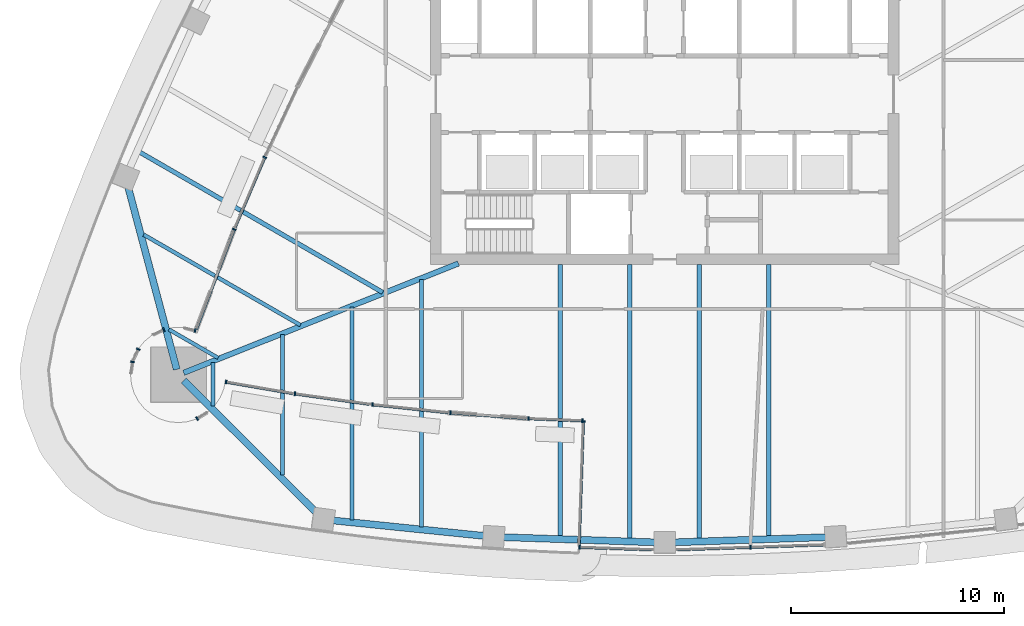
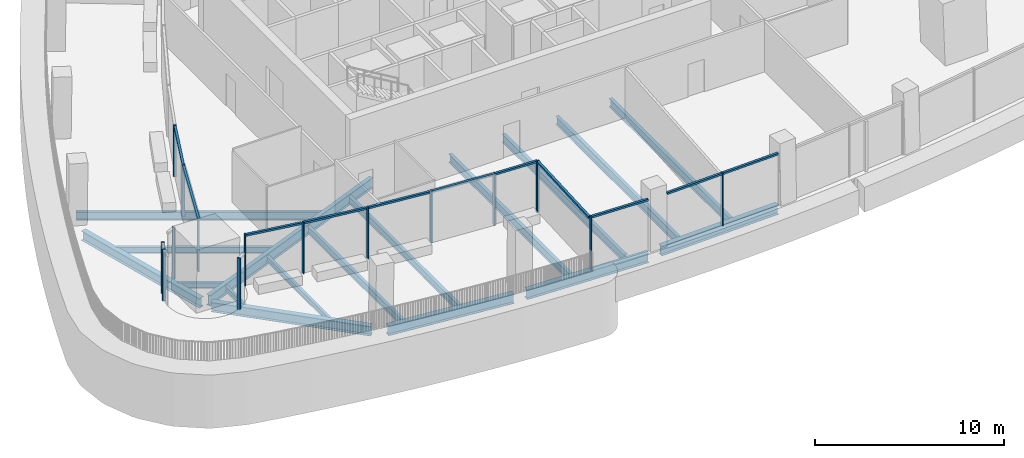
# One storey, part 2 of 18: 27 members, 17 beams, 15 elements without a shape of their own.
"""IFC4 building model written with IfcOpenShell, lengths in metres."""

from ifc_helpers import new_model, si_unit, direction, frame, origin, origin_2d, place, context, subcontext, project, spatial, rectangle, i_section, extrude, material, layer, layer_set, material_profile, profile_set, type_object, element, aggregate, save


model = new_model("IFC4")

# Units and contexts
model_context = context("Model", 3, precision=1e-05, world=origin(), true_north=direction((0.0, 1.0)))
body_context = subcontext(model_context, "Body", "Model", "MODEL_VIEW")
ifc_project = project(units=[si_unit("LENGTHUNIT", "METRE"), si_unit("AREAUNIT", "SQUARE_METRE"), si_unit("VOLUMEUNIT", "CUBIC_METRE"), si_unit("PLANEANGLEUNIT", "RADIAN"), si_unit("MASSUNIT", "GRAM", prefix="KILO")], contexts=[model_context])

# Site, building, storey
site_placement = place(None, origin())
site = spatial("IfcSite", under=ifc_project, at=site_placement, CompositionType="ELEMENT")
building_placement = place(site_placement, origin())
building = spatial("IfcBuilding", under=site, at=building_placement, Name="Sierra Prisma Convention Tower", CompositionType="ELEMENT")
storey_placement = place(building_placement, frame((0.0, 0.0, 205.800048828125)))
storey = spatial("IfcBuildingStorey", under=building, at=storey_placement, Name="L46", CompositionType="ELEMENT", Elevation=205.800048828125)

# Curtain wall, member
ifc_material_1 = material(Name="Aluminium and glass curtain wall", Category="aluminium")
ifc_layer_1 = layer(ifc_material_1, 0.179931640625)
ifc_layer_set_1 = layer_set([ifc_layer_1], Name="CW-1 Plain shaft curtain wall")
curtain_wall_type_1 = type_object("IfcCurtainWallType", Name="CW-1 Plain shaft curtain wall", PredefinedType="NOTDEFINED", material=ifc_layer_set_1)
curtain_wall_1_placement = place(storey_placement, origin())
curtain_wall_1 = element("IfcCurtainWall", 1, at=curtain_wall_1_placement, inside=storey, type_object=curtain_wall_type_1, Name="CW-1 S3b L46", PredefinedType="NOTDEFINED")
ifc_material_2 = material(Name="Aluminium 6063-T6 bronze anodised", Category="aluminium")
ifc_material_profile_1 = material_profile(ifc_material_2, rectangle(XDim=0.179931640625, YDim=0.070068359375, at=origin_2d()), Name="ALU MULLION 70x180")
ifc_profile_set_1 = profile_set([ifc_material_profile_1], Name="Aluminium 6063-T6 bronze anodised")
member_type_1 = type_object("IfcMemberType", Name="CW mullion bronze", PredefinedType="MULLION", material=ifc_profile_set_1)
member_1_placement = place(storey_placement, frame((-3.99072265625, -21.285888671875, 0.0), z_axis=(0.0, 0.0, 1.0), x_axis=(0.033942935708, 0.999423772539, 0.0)))
member_1 = element("IfcMember", 2, at=member_1_placement, type_object=member_type_1, Name="CW-1 mullion S3b.1", PredefinedType="MULLION", context=body_context, shape_type="SweptSolid", body=[
    extrude(rectangle(XDim=0.179931640625, YDim=0.070068359375, at=origin_2d()), origin(), (0.0, 0.0, 1.0), 3.39990234375),
])

curtain_wall_2_placement = place(storey_placement, origin())
curtain_wall_2 = element("IfcCurtainWall", 3, at=curtain_wall_2_placement, inside=storey, type_object=curtain_wall_type_1, Name="CW-1 S4 L46", PredefinedType="NOTDEFINED")
member_2_placement = place(storey_placement, frame((4.025634765625, -21.28466796875, 0.0), z_axis=(0.0, 0.0, 1.0), x_axis=(-0.033942935708, 0.999423772539, 0.0)))
member_2 = element("IfcMember", 4, at=member_2_placement, type_object=member_type_1, Name="CW-1 mullion S4.2", PredefinedType="MULLION", context=body_context, shape_type="SweptSolid", body=[
    extrude(rectangle(XDim=0.179931640625, YDim=0.070068359375, at=origin_2d()), origin(), (0.0, 0.0, 1.0), 3.39990234375),
])

ifc_material_3 = material(Name="Aluminium and glass curtain wall", Category="aluminium")
ifc_layer_2 = layer(ifc_material_3, 0.179931640625)
ifc_layer_set_2 = layer_set([ifc_layer_2], Name="CW-6 Terrace recess curtain wall")
curtain_wall_type_2 = type_object("IfcCurtainWallType", Name="CW-6 Terrace recess curtain wall", PredefinedType="NOTDEFINED", material=ifc_layer_set_2)
curtain_wall_3_placement = place(storey_placement, origin())
curtain_wall_3 = element("IfcCurtainWall", 5, at=curtain_wall_3_placement, inside=storey, type_object=curtain_wall_type_2, Name="CW-6 R5 L46", PredefinedType="NOTDEFINED")
member_3_placement = place(storey_placement, frame((-18.786865234375, -2.970703125, 0.0), z_axis=(0.0, 0.0, 1.0), x_axis=(0.920522434221, -0.390689708204, 0.0)))
member_3 = element("IfcMember", 6, at=member_3_placement, type_object=member_type_1, Name="CW-6 mullion R5.1", PredefinedType="MULLION", context=body_context, shape_type="SweptSolid", body=[
    extrude(rectangle(XDim=0.179931640625, YDim=0.070068359375, at=origin_2d()), origin(), (0.0, 0.0, 1.0), 3.33984375),
])

curtain_wall_4_placement = place(storey_placement, origin())
curtain_wall_4 = element("IfcCurtainWall", 7, at=curtain_wall_4_placement, inside=storey, type_object=curtain_wall_type_2, Name="CW-6 R6 L46", PredefinedType="NOTDEFINED")
member_4_placement = place(storey_placement, frame((-20.222412109375, -6.35693359375, 0.0), z_axis=(0.0, 0.0, 1.0), x_axis=(0.935227172382, -0.354048211462, 0.0)))
member_4 = element("IfcMember", 8, at=member_4_placement, type_object=member_type_1, Name="CW-6 mullion R6.1", PredefinedType="MULLION", context=body_context, shape_type="SweptSolid", body=[
    extrude(rectangle(XDim=0.179931640625, YDim=0.070068359375, at=origin_2d()), origin(), (0.0, 0.0, 1.0), 3.33984375),
])

curtain_wall_5_placement = place(storey_placement, origin())
curtain_wall_5 = element("IfcCurtainWall", 9, at=curtain_wall_5_placement, inside=storey, type_object=curtain_wall_type_2, Name="CW-6 R7 L46", PredefinedType="NOTDEFINED")
member_5_placement = place(storey_placement, frame((-22.0576171875, -11.106201171875, 0.0), z_axis=(0.0, 0.0, 1.0), x_axis=(-0.238294144582, -0.971193029556, 0.0)))
member_5 = element("IfcMember", 10, at=member_5_placement, type_object=member_type_1, Name="CW-6 mullion R7.1", PredefinedType="MULLION", context=body_context, shape_type="SweptSolid", body=[
    extrude(rectangle(XDim=0.179931640625, YDim=0.070068359375, at=origin_2d()), origin(), (0.0, 0.0, 1.0), 3.33984375),
])
aggregate(curtain_wall_5, [member_5])

curtain_wall_6_placement = place(storey_placement, origin())
curtain_wall_6 = element("IfcCurtainWall", 11, at=curtain_wall_6_placement, inside=storey, type_object=curtain_wall_type_2, Name="CW-6 R10 L46", PredefinedType="NOTDEFINED")
member_6_placement = place(storey_placement, frame((-23.53271484375, -11.06591796875, 0.0), z_axis=(0.0, 0.0, 1.0), x_axis=(0.42755509343, -0.903989293123, 0.0)))
member_6 = element("IfcMember", 12, at=member_6_placement, type_object=member_type_1, Name="CW-6 mullion R10.1", PredefinedType="MULLION", context=body_context, shape_type="SweptSolid", body=[
    extrude(rectangle(XDim=0.179931640625, YDim=0.070068359375, at=origin_2d()), origin(), (0.0, 0.0, 1.0), 3.33984375),
])
aggregate(curtain_wall_6, [member_6])

curtain_wall_7_placement = place(storey_placement, origin())
curtain_wall_7 = element("IfcCurtainWall", 13, at=curtain_wall_7_placement, inside=storey, type_object=curtain_wall_type_2, Name="CW-6 R13 L46", PredefinedType="NOTDEFINED")
member_7_placement = place(storey_placement, frame((-24.727294921875, -11.981201171875, 0.0), z_axis=(0.0, 0.0, 1.0), x_axis=(0.903989293123, -0.42755509343, 0.0)))
member_7 = element("IfcMember", 14, at=member_7_placement, type_object=member_type_1, Name="CW-6 mullion R13.1", PredefinedType="MULLION", context=body_context, shape_type="SweptSolid", body=[
    extrude(rectangle(XDim=0.179931640625, YDim=0.070068359375, at=origin_2d()), origin(), (0.0, 0.0, 1.0), 3.33984375),
])
aggregate(curtain_wall_7, [member_7])

curtain_wall_8_placement = place(storey_placement, origin())
curtain_wall_8 = element("IfcCurtainWall", 15, at=curtain_wall_8_placement, inside=storey, type_object=curtain_wall_type_2, Name="CW-6 R14 L46", PredefinedType="NOTDEFINED")
member_8_placement = place(storey_placement, frame((-24.998291015625, -12.577880859375, 0.0), z_axis=(0.0, 0.0, 1.0), x_axis=(0.989176509965, -0.146730474455, 0.0)))
member_8 = element("IfcMember", 16, at=member_8_placement, type_object=member_type_1, Name="CW-6 mullion R14.1", PredefinedType="MULLION", context=body_context, shape_type="SweptSolid", body=[
    extrude(rectangle(XDim=0.179931640625, YDim=0.070068359375, at=origin_2d()), origin(), (0.0, 0.0, 1.0), 3.33984375),
])
aggregate(curtain_wall_8, [member_8])

curtain_wall_9_placement = place(storey_placement, origin())
curtain_wall_9 = element("IfcCurtainWall", 17, at=curtain_wall_9_placement, inside=storey, type_object=curtain_wall_type_2, Name="CW-6 R25 L46", PredefinedType="NOTDEFINED")
member_9_placement = place(storey_placement, frame((-21.964599609375, -15.2431640625, 0.0), z_axis=(0.0, 0.0, 1.0), x_axis=(-0.514102744193, 0.85772861, 0.0)))
member_9 = element("IfcMember", 18, at=member_9_placement, type_object=member_type_1, Name="CW-6 mullion R25.1", PredefinedType="MULLION", context=body_context, shape_type="SweptSolid", body=[
    extrude(rectangle(XDim=0.179931640625, YDim=0.070068359375, at=origin_2d()), origin(), (0.0, 0.0, 1.0), 3.33984375),
])
aggregate(curtain_wall_9, [member_9])

curtain_wall_10_placement = place(storey_placement, origin())
curtain_wall_10 = element("IfcCurtainWall", 19, at=curtain_wall_10_placement, inside=storey, type_object=curtain_wall_type_2, Name="CW-6 R30 L46", PredefinedType="NOTDEFINED")
member_10_placement = place(storey_placement, frame((-20.604248046875, -13.521240234375, 0.0), z_axis=(0.0, 0.0, 1.0), x_axis=(0.169310839657, 0.985562702001, 0.0)))
member_10 = element("IfcMember", 20, at=member_10_placement, type_object=member_type_1, Name="CW-6 mullion R30.1", PredefinedType="MULLION", context=body_context, shape_type="SweptSolid", body=[
    extrude(rectangle(XDim=0.179931640625, YDim=0.070068359375, at=origin_2d()), origin(), (0.0, 0.0, 1.0), 3.33984375),
])

curtain_wall_11_placement = place(storey_placement, origin())
curtain_wall_11 = element("IfcCurtainWall", 21, at=curtain_wall_11_placement, inside=storey, type_object=curtain_wall_type_2, Name="CW-6 R31 L46", PredefinedType="NOTDEFINED")
member_11_placement = place(storey_placement, frame((-17.36669921875, -14.076416015625, 0.0), z_axis=(0.0, 0.0, 1.0), x_axis=(0.138071286049, 0.990422293756, 0.0)))
member_11 = element("IfcMember", 22, at=member_11_placement, type_object=member_type_1, Name="CW-6 mullion R31.1", PredefinedType="MULLION", context=body_context, shape_type="SweptSolid", body=[
    extrude(rectangle(XDim=0.179931640625, YDim=0.070068359375, at=origin_2d()), origin(), (0.0, 0.0, 1.0), 3.33984375),
])

curtain_wall_12_placement = place(storey_placement, origin())
curtain_wall_12 = element("IfcCurtainWall", 23, at=curtain_wall_12_placement, inside=storey, type_object=curtain_wall_type_2, Name="CW-6 R32 L46", PredefinedType="NOTDEFINED")
member_12_placement = place(storey_placement, frame((-13.7236328125, -14.5830078125, 0.0), z_axis=(0.0, 0.0, 1.0), x_axis=(0.105724349866, 0.994395475576, 0.0)))
member_12 = element("IfcMember", 24, at=member_12_placement, type_object=member_type_1, Name="CW-6 mullion R32.1", PredefinedType="MULLION", context=body_context, shape_type="SweptSolid", body=[
    extrude(rectangle(XDim=0.179931640625, YDim=0.070068359375, at=origin_2d()), origin(), (0.0, 0.0, 1.0), 3.33984375),
])

curtain_wall_13_placement = place(storey_placement, origin())
curtain_wall_13 = element("IfcCurtainWall", 25, at=curtain_wall_13_placement, inside=storey, type_object=curtain_wall_type_2, Name="CW-6 R33 L46", PredefinedType="NOTDEFINED")
member_13_placement = place(storey_placement, frame((-10.06640625, -14.970703125, 0.0), z_axis=(0.0, 0.0, 1.0), x_axis=(0.073265122746, 0.997312499565, 0.0)))
member_13 = element("IfcMember", 26, at=member_13_placement, type_object=member_type_1, Name="CW-6 mullion R33.1", PredefinedType="MULLION", context=body_context, shape_type="SweptSolid", body=[
    extrude(rectangle(XDim=0.179931640625, YDim=0.070068359375, at=origin_2d()), origin(), (0.0, 0.0, 1.0), 3.33984375),
])

# Curtain wall, members
curtain_wall_14_placement = place(storey_placement, origin())
curtain_wall_14 = element("IfcCurtainWall", 27, at=curtain_wall_14_placement, inside=storey, type_object=curtain_wall_type_2, Name="CW-6 R34 L46", PredefinedType="NOTDEFINED")
member_14_placement = place(storey_placement, frame((-6.398193359375, -15.2392578125, 0.0), z_axis=(0.0, 0.0, 1.0), x_axis=(0.041644735302, 0.999132481717, 0.0)))
member_14 = element("IfcMember", 28, at=member_14_placement, type_object=member_type_1, Name="CW-6 mullion R34.1", PredefinedType="MULLION", context=body_context, shape_type="SweptSolid", body=[
    extrude(rectangle(XDim=0.179931640625, YDim=0.070068359375, at=origin_2d()), origin(), (0.0, 0.0, 1.0), 3.33984375),
])
member_15_placement = place(storey_placement, frame((-3.859130859375, -15.344970703125, 0.0), z_axis=(0.0, 0.0, 1.0), x_axis=(0.041644735302, 0.999132481717, 0.0)))
member_15 = element("IfcMember", 29, at=member_15_placement, type_object=member_type_1, Name="CW-6 mullion R34.2", PredefinedType="MULLION", context=body_context, shape_type="SweptSolid", body=[
    extrude(rectangle(XDim=0.179931640625, YDim=0.070068359375, at=origin_2d()), origin(), (0.0, 0.0, 1.0), 3.33984375),
])

# Curtain wall, member
curtain_wall_15_placement = place(storey_placement, origin())
curtain_wall_15 = element("IfcCurtainWall", 30, at=curtain_wall_15_placement, inside=storey, type_object=curtain_wall_type_2, Name="CW-6 RT2 L46", PredefinedType="NOTDEFINED")
member_16_placement = place(storey_placement, frame((-3.8251953125, -15.38134765625, 0.0), z_axis=(0.0, 0.0, 1.0), x_axis=(0.999423772539, -0.033942935708, 0.0)))
member_16 = element("IfcMember", 31, at=member_16_placement, type_object=member_type_1, Name="CW-6 mullion RT2.1", PredefinedType="MULLION", context=body_context, shape_type="SweptSolid", body=[
    extrude(rectangle(XDim=0.179931640625, YDim=0.070068359375, at=origin_2d()), origin(), (0.0, 0.0, 1.0), 3.33984375),
])

# Member
ifc_material_4 = material(Name="Aluminium 6063-T6 bronze anodised", Category="aluminium")
ifc_material_profile_2 = material_profile(ifc_material_4, rectangle(XDim=0.139892578125, YDim=0.1201171875, at=origin_2d()), Name="ALU TRANSOM 120x140")
ifc_profile_set_2 = profile_set([ifc_material_profile_2], Name="Aluminium 6063-T6 bronze anodised")
member_type_2 = type_object("IfcMemberType", Name="CW transom bronze", PredefinedType="USERDEFINED", material=ifc_profile_set_2)
member_17_placement = place(storey_placement, frame((-3.955810546875, -21.287109375, 3.33984375), z_axis=(0.999423919086, -0.033938620468, 0.0), x_axis=(0.033938620468, 0.999423919086, 0.0)))
member_17 = element("IfcMember", 32, at=member_17_placement, type_object=member_type_2, Name="CW-1 transom S3b.1", ObjectType="TRANSOM", PredefinedType="USERDEFINED", context=body_context, shape_type="SweptSolid", body=[
    extrude(rectangle(XDim=0.139892578125, YDim=0.1201171875, at=origin_2d()), origin(), (0.0, 0.0, 1.0), 3.38818359375),
])

aggregate(curtain_wall_1, [member_1, member_17])

member_18_placement = place(storey_placement, frame((0.569580078125, -21.402099609375, 3.33984375), z_axis=(0.999423570725, 0.033948877447, 0.0), x_axis=(-0.033948877447, 0.999423570725, 0.0)))
member_18 = element("IfcMember", 33, at=member_18_placement, type_object=member_type_2, Name="CW-1 transom S4.1", ObjectType="TRANSOM", PredefinedType="USERDEFINED", context=body_context, shape_type="SweptSolid", body=[
    extrude(rectangle(XDim=0.139892578125, YDim=0.1201171875, at=origin_2d()), origin(), (0.0, 0.0, 1.0), 3.423095703125),
])

member_19_placement = place(storey_placement, frame((4.060791015625, -21.283447265625, 3.33984375), z_axis=(0.999423488516, 0.033951297497, 0.0), x_axis=(-0.033951297497, 0.999423488516, 0.0)))
member_19 = element("IfcMember", 34, at=member_19_placement, type_object=member_type_2, Name="CW-1 transom S4.2", ObjectType="TRANSOM", PredefinedType="USERDEFINED", context=body_context, shape_type="SweptSolid", body=[
    extrude(rectangle(XDim=0.139892578125, YDim=0.1201171875, at=origin_2d()), origin(), (0.0, 0.0, 1.0), 3.4228515625),
])

aggregate(curtain_wall_2, [member_2, member_18, member_19])

member_20_placement = place(storey_placement, frame((-18.800537109375, -3.0029296875, 3.280029296875), z_axis=(-0.390643768358, -0.920541930736, 0.0), x_axis=(0.920541930736, -0.390643768358, 0.0)))
member_20 = element("IfcMember", 35, at=member_20_placement, type_object=member_type_2, Name="CW-6 transom R5.1", ObjectType="TRANSOM", PredefinedType="USERDEFINED", context=body_context, shape_type="SweptSolid", body=[
    extrude(rectangle(XDim=0.139892578125, YDim=0.1201171875, at=origin_2d()), origin(), (0.0, 0.0, 1.0), 3.537841796875),
])

aggregate(curtain_wall_3, [member_3, member_20])

member_21_placement = place(storey_placement, frame((-20.23486328125, -6.3896484375, 3.280029296875), z_axis=(-0.354048495818, -0.935227064733, 0.0), x_axis=(0.935227064733, -0.354048495818, 0.0)))
member_21 = element("IfcMember", 36, at=member_21_placement, type_object=member_type_2, Name="CW-6 transom R6.1", ObjectType="TRANSOM", PredefinedType="USERDEFINED", context=body_context, shape_type="SweptSolid", body=[
    extrude(rectangle(XDim=0.139892578125, YDim=0.1201171875, at=origin_2d()), origin(), (0.0, 0.0, 1.0), 4.982177734375),
])

aggregate(curtain_wall_4, [member_4, member_21])

member_22_placement = place(storey_placement, frame((-20.56982421875, -13.52734375, 3.280029296875), z_axis=(0.985563466496, -0.169306389448, 0.0), x_axis=(0.169306389448, 0.985563466496, 0.0)))
member_22 = element("IfcMember", 37, at=member_22_placement, type_object=member_type_2, Name="CW-6 transom R30.1", ObjectType="TRANSOM", PredefinedType="USERDEFINED", context=body_context, shape_type="SweptSolid", body=[
    extrude(rectangle(XDim=0.139892578125, YDim=0.1201171875, at=origin_2d()), origin(), (0.0, 0.0, 1.0), 3.14501953125),
])

aggregate(curtain_wall_10, [member_10, member_22])

member_23_placement = place(storey_placement, frame((-17.33203125, -14.081298828125, 3.280029296875), z_axis=(0.990421361548, -0.13807797286, 0.0), x_axis=(0.13807797286, 0.990421361548, 0.0)))
member_23 = element("IfcMember", 38, at=member_23_placement, type_object=member_type_2, Name="CW-6 transom R31.1", ObjectType="TRANSOM", PredefinedType="USERDEFINED", context=body_context, shape_type="SweptSolid", body=[
    extrude(rectangle(XDim=0.139892578125, YDim=0.1201171875, at=origin_2d()), origin(), (0.0, 0.0, 1.0), 3.5380859375),
])

aggregate(curtain_wall_11, [member_11, member_23])

member_24_placement = place(storey_placement, frame((-13.68896484375, -14.5869140625, 3.280029296875), z_axis=(0.994396015544, -0.105719271049, 0.0), x_axis=(0.105719271049, 0.994396015544, 0.0)))
member_24 = element("IfcMember", 39, at=member_24_placement, type_object=member_type_2, Name="CW-6 transom R32.1", ObjectType="TRANSOM", PredefinedType="USERDEFINED", context=body_context, shape_type="SweptSolid", body=[
    extrude(rectangle(XDim=0.139892578125, YDim=0.1201171875, at=origin_2d()), origin(), (0.0, 0.0, 1.0), 3.537841796875),
])

aggregate(curtain_wall_12, [member_12, member_24])

member_25_placement = place(storey_placement, frame((-10.031494140625, -14.973388671875, 3.280029296875), z_axis=(0.997311260528, -0.073281987039, 0.0), x_axis=(0.073281987039, 0.997311260528, 0.0)))
member_25 = element("IfcMember", 40, at=member_25_placement, type_object=member_type_2, Name="CW-6 transom R33.1", ObjectType="TRANSOM", PredefinedType="USERDEFINED", context=body_context, shape_type="SweptSolid", body=[
    extrude(rectangle(XDim=0.139892578125, YDim=0.1201171875, at=origin_2d()), origin(), (0.0, 0.0, 1.0), 3.5380859375),
])

aggregate(curtain_wall_13, [member_13, member_25])

member_26_placement = place(storey_placement, frame((-6.36328125, -15.24072265625, 3.280029296875), z_axis=(0.999134784332, -0.041589454638, 0.0), x_axis=(0.041589454638, 0.999134784332, 0.0)))
member_26 = element("IfcMember", 41, at=member_26_placement, type_object=member_type_2, Name="CW-6 transom R34.1", ObjectType="TRANSOM", PredefinedType="USERDEFINED", context=body_context, shape_type="SweptSolid", body=[
    extrude(rectangle(XDim=0.139892578125, YDim=0.1201171875, at=origin_2d()), origin(), (0.0, 0.0, 1.0), 2.471435546875),
])

aggregate(curtain_wall_14, [member_14, member_15, member_26])

member_27_placement = place(storey_placement, frame((-3.826416015625, -15.41650390625, 3.280029296875), z_axis=(-0.03395934882, -0.999423214973, 0.0), x_axis=(0.999423214973, -0.03395934882, 0.0)))
member_27 = element("IfcMember", 42, at=member_27_placement, type_object=member_type_2, Name="CW-6 transom RT2.1", ObjectType="TRANSOM", PredefinedType="USERDEFINED", context=body_context, shape_type="SweptSolid", body=[
    extrude(rectangle(XDim=0.139892578125, YDim=0.1201171875, at=origin_2d()), origin(), (0.0, 0.0, 1.0), 5.8017578125),
])

aggregate(curtain_wall_15, [member_16, member_27])

# Beams
ifc_material_5 = material(Name="Steel ASTM A992 Gr 50", Category="steel")
ifc_material_profile_3 = material_profile(ifc_material_5, i_section(OverallWidth=0.172119140625, OverallDepth=0.35791015625, WebThickness=0.0078125, FlangeThickness=0.01318359375, at=origin_2d()), Name="W360x57")
ifc_profile_set_3 = profile_set([ifc_material_profile_3], Name="Steel ASTM A992 Gr 50")
beam_type_1 = type_object("IfcBeamType", Name="Floor joist W360x57", PredefinedType="JOIST", material=ifc_profile_set_3)
beam_1_placement = place(storey_placement, frame((-21.218994140625, -14.640869140625, -0.47900390625), z_axis=(0.0, 1.0, 0.0), x_axis=(-1.0, 0.0, 0.0)))
element("IfcBeam", 43, at=beam_1_placement, inside=storey, type_object=beam_type_1, Name="Floor joist L46 S01", PredefinedType="JOIST", context=body_context, shape_type="SweptSolid", body=[
    extrude(i_section(OverallWidth=0.172119140625, OverallDepth=0.35791015625, WebThickness=0.0078125, FlangeThickness=0.01318359375, at=origin_2d()), origin(), (0.0, 0.0, 1.0), 2.04248046875),
])
beam_2_placement = place(storey_placement, frame((-17.95458984375, -17.8955078125, -0.47900390625), z_axis=(0.0, 1.0, 0.0), x_axis=(-1.0, 0.0, 0.0)))
element("IfcBeam", 44, at=beam_2_placement, inside=storey, type_object=beam_type_1, Name="Floor joist L46 S02", PredefinedType="JOIST", context=body_context, shape_type="SweptSolid", body=[
    extrude(i_section(OverallWidth=0.172119140625, OverallDepth=0.35791015625, WebThickness=0.0078125, FlangeThickness=0.01318359375, at=origin_2d()), origin(), (0.0, 0.0, 1.0), 6.59619140625),
])
beam_3_placement = place(storey_placement, frame((-23.288818359375, -11.0556640625, -0.47900390625), z_axis=(0.866013662025, -0.500020336772, 0.0), x_axis=(0.500020336772, 0.866013662025, 0.0)))
element("IfcBeam", 45, at=beam_3_placement, inside=storey, type_object=beam_type_1, Name="Floor joist L46 NW14", PredefinedType="JOIST", context=body_context, shape_type="SweptSolid", body=[
    extrude(i_section(OverallWidth=0.172119140625, OverallDepth=0.35791015625, WebThickness=0.0078125, FlangeThickness=0.01318359375, at=origin_2d()), origin(), (0.0, 0.0, 1.0), 2.67236328125),
])
ifc_material_6 = material(Name="Steel ASTM A992 Gr 50", Category="steel")
ifc_material_profile_4 = material_profile(ifc_material_6, i_section(OverallWidth=0.177978515625, OverallDepth=0.406982421875, WebThickness=0.0078125, FlangeThickness=0.0126953125, at=origin_2d()), Name="W410x60")
ifc_profile_set_4 = profile_set([ifc_material_profile_4], Name="Steel ASTM A992 Gr 50")
beam_type_2 = type_object("IfcBeamType", Name="Floor joist W410x60", PredefinedType="JOIST", material=ifc_profile_set_4)
beam_4_placement = place(storey_placement, frame((-24.475341796875, -6.601318359375, -0.503662109375), z_axis=(0.866033577695, -0.499985842104, 0.0), x_axis=(0.499985842104, 0.866033577695, 0.0)))
element("IfcBeam", 46, at=beam_4_placement, inside=storey, type_object=beam_type_2, Name="Floor joist L46 NW13", PredefinedType="JOIST", context=body_context, shape_type="SweptSolid", body=[
    extrude(i_section(OverallWidth=0.177978515625, OverallDepth=0.406982421875, WebThickness=0.0078125, FlangeThickness=0.0126953125, at=origin_2d()), origin(), (0.0, 0.0, 1.0), 8.505126953125),
])
ifc_material_7 = material(Name="Steel ASTM A992 Gr 50", Category="steel")
ifc_material_profile_5 = material_profile(ifc_material_7, i_section(OverallWidth=0.18994140625, OverallDepth=0.45703125, WebThickness=0.009033203125, FlangeThickness=0.014404296875, at=origin_2d()), Name="W460x74")
ifc_profile_set_5 = profile_set([ifc_material_profile_5], Name="Steel ASTM A992 Gr 50")
beam_type_3 = type_object("IfcBeamType", Name="Floor joist W460x74", PredefinedType="JOIST", material=ifc_profile_set_5)
beam_5_placement = place(storey_placement, frame((-14.68994140625, -20.00537109375, -0.528564453125), z_axis=(0.0, 1.0, 0.0), x_axis=(-1.0, 0.0, 0.0)))
element("IfcBeam", 47, at=beam_5_placement, inside=storey, type_object=beam_type_3, Name="Floor joist L46 S03", PredefinedType="JOIST", context=body_context, shape_type="SweptSolid", body=[
    extrude(i_section(OverallWidth=0.18994140625, OverallDepth=0.45703125, WebThickness=0.009033203125, FlangeThickness=0.014404296875, at=origin_2d()), origin(), (0.0, 0.0, 1.0), 10.0048828125),
])
beam_6_placement = place(storey_placement, frame((-11.425537109375, -20.339111328125, -0.528564453125), z_axis=(0.0, 1.0, 0.0), x_axis=(-1.0, 0.0, 0.0)))
element("IfcBeam", 48, at=beam_6_placement, inside=storey, type_object=beam_type_3, Name="Floor joist L46 S04", PredefinedType="JOIST", context=body_context, shape_type="SweptSolid", body=[
    extrude(i_section(OverallWidth=0.18994140625, OverallDepth=0.45703125, WebThickness=0.009033203125, FlangeThickness=0.014404296875, at=origin_2d()), origin(), (0.0, 0.0, 1.0), 11.6376953125),
])
ifc_material_8 = material(Name="Steel ASTM A992 Gr 50", Category="steel")
ifc_material_profile_6 = material_profile(ifc_material_8, i_section(OverallWidth=0.208984375, OverallDepth=0.532958984375, WebThickness=0.01025390625, FlangeThickness=0.015625, at=origin_2d()), Name="W530x92")
ifc_profile_set_6 = profile_set([ifc_material_profile_6], Name="Steel ASTM A992 Gr 50")
beam_type_4 = type_object("IfcBeamType", Name="Floor joist W530x92", PredefinedType="JOIST", material=ifc_profile_set_6)
beam_7_placement = place(storey_placement, frame((-4.896728515625, -20.79248046875, -0.566650390625), z_axis=(0.0, 1.0, 0.0), x_axis=(-1.0, 0.0, 0.0)))
element("IfcBeam", 49, at=beam_7_placement, inside=storey, type_object=beam_type_4, Name="Floor joist L46 S06", PredefinedType="JOIST", context=body_context, shape_type="SweptSolid", body=[
    extrude(i_section(OverallWidth=0.208984375, OverallDepth=0.532958984375, WebThickness=0.01025390625, FlangeThickness=0.015625, at=origin_2d()), origin(), (0.0, 0.0, 1.0), 12.79248046875),
])
for number, where, z_axis, x_axis, name in (
    (50, (-1.63232421875, -20.9033203125, -0.41650390625), (0.0, 1.0, 0.0), (-1.0, 0.0, 0.0), "Floor joist L46 S07"),
    (51, (1.63232421875, -20.9033203125, -0.41650390625), (0.0, 1.0, 0.0), (-1.0, 0.0, 0.0), "Floor joist L46 S08"),
):
    element("IfcBeam", number, at=place(storey_placement, frame(where, z_axis=z_axis, x_axis=x_axis)), inside=storey, type_object=beam_type_4, Name=name, PredefinedType="JOIST", context=body_context, shape_type="SweptSolid", body=[
        extrude(i_section(OverallWidth=0.208984375, OverallDepth=0.532958984375, WebThickness=0.01025390625, FlangeThickness=0.015625, at=origin_2d()), origin(), (0.0, 0.0, 1.0), 12.9033203125),
    ])
beam_8_placement = place(storey_placement, frame((4.896728515625, -20.79248046875, -0.41650390625), z_axis=(0.0, 1.0, 0.0), x_axis=(-1.0, 0.0, 0.0)))
element("IfcBeam", 52, at=beam_8_placement, inside=storey, type_object=beam_type_4, Name="Floor joist L46 S09", PredefinedType="JOIST", context=body_context, shape_type="SweptSolid", body=[
    extrude(i_section(OverallWidth=0.208984375, OverallDepth=0.532958984375, WebThickness=0.01025390625, FlangeThickness=0.015625, at=origin_2d()), origin(), (0.0, 0.0, 1.0), 12.79248046875),
])
beam_9_placement = place(storey_placement, frame((-24.670166015625, -2.71923828125, -0.566650390625), z_axis=(0.866025344474, -0.500000102728, 0.0), x_axis=(0.500000102728, 0.866025344474, 0.0)))
element("IfcBeam", 53, at=beam_9_placement, inside=storey, type_object=beam_type_4, Name="Floor joist L46 NW12", PredefinedType="JOIST", context=body_context, shape_type="SweptSolid", body=[
    extrude(i_section(OverallWidth=0.208984375, OverallDepth=0.532958984375, WebThickness=0.01025390625, FlangeThickness=0.015625, at=origin_2d()), origin(), (0.0, 0.0, 1.0), 13.193359375),
])
ifc_material_9 = material(Name="Steel ASTM A992 Gr 50", Category="steel")
ifc_material_profile_7 = material_profile(ifc_material_9, i_section(OverallWidth=0.25390625, OverallDepth=0.68408203125, WebThickness=0.012451171875, FlangeThickness=0.018798828125, at=origin_2d()), Name="W690x140")
ifc_profile_set_7 = profile_set([ifc_material_profile_7], Name="Steel ASTM A992 Gr 50")
beam_type_5 = type_object("IfcBeamType", Name="Radial girder W690x140", PredefinedType="BEAM", material=ifc_profile_set_7)
beam_10_placement = place(storey_placement, frame((-22.591064453125, -13.089599609375, -0.491943359375), z_axis=(0.929145686033, 0.369713800291, 0.0), x_axis=(-0.369713800291, 0.929145686033, 0.0)))
element("IfcBeam", 54, at=beam_10_placement, inside=storey, type_object=beam_type_5, Name="Radial girder L46 SW", PredefinedType="BEAM", context=body_context, shape_type="SweptSolid", body=[
    extrude(i_section(OverallWidth=0.25390625, OverallDepth=0.68408203125, WebThickness=0.012451171875, FlangeThickness=0.018798828125, at=origin_2d()), origin(), (0.0, 0.0, 1.0), 13.886474609375),
])
ifc_material_10 = material(Name="Steel ASTM A992 Gr 50", Category="steel")
ifc_material_profile_8 = material_profile(ifc_material_10, i_section(OverallWidth=0.324951171875, OverallDepth=0.615966796875, WebThickness=0.013916015625, FlangeThickness=0.021484375, at=origin_2d()), Name="W610x174")
ifc_profile_set_8 = profile_set([ifc_material_profile_8], Name="Steel ASTM A992 Gr 50")
beam_type_6 = type_object("IfcBeamType", Name="Spandrel beam W610x174", PredefinedType="BEAM", material=ifc_profile_set_8)
beam_11_placement = place(storey_placement, frame((-22.591064453125, -13.452392578125, -0.608154296875), z_axis=(0.708181547572, -0.706030378722, 0.0), x_axis=(0.706030378722, 0.708181547572, 0.0)))
element("IfcBeam", 55, at=beam_11_placement, inside=storey, type_object=beam_type_6, Name="Spandrel L46-01", PredefinedType="BEAM", context=body_context, shape_type="SweptSolid", body=[
    extrude(i_section(OverallWidth=0.324951171875, OverallDepth=0.615966796875, WebThickness=0.013916015625, FlangeThickness=0.021484375, at=origin_2d()), origin(), (0.0, 0.0, 1.0), 8.73876953125),
])
beam_12_placement = place(storey_placement, frame((-15.6650390625, -20.01904296875, -0.608154296875), z_axis=(0.994816443907, -0.101686985069, 0.0), x_axis=(0.101686985069, 0.994816443907, 0.0)))
element("IfcBeam", 56, at=beam_12_placement, inside=storey, type_object=beam_type_6, Name="Spandrel L46-02", PredefinedType="BEAM", context=body_context, shape_type="SweptSolid", body=[
    extrude(i_section(OverallWidth=0.324951171875, OverallDepth=0.615966796875, WebThickness=0.013916015625, FlangeThickness=0.021484375, at=origin_2d()), origin(), (0.0, 0.0, 1.0), 7.284423828125),
])
for number, where, z_axis, x_axis, name in (
    (57, (-7.66015625, -20.811279296875, -0.608154296875), (0.999423463193, -0.033952042933, 0.0), (0.033952042933, 0.999423463193, 0.0), "Spandrel L46-03"),
    (58, (0.380126953125, -21.05859375, -0.4580078125), (0.999423463193, 0.033952042933, 0.0), (-0.033952042933, 0.999423463193, 0.0), "Spandrel L46-04"),
):
    element("IfcBeam", number, at=place(storey_placement, frame(where, z_axis=z_axis, x_axis=x_axis)), inside=storey, type_object=beam_type_6, Name=name, PredefinedType="BEAM", context=body_context, shape_type="SweptSolid", body=[
        extrude(i_section(OverallWidth=0.324951171875, OverallDepth=0.615966796875, WebThickness=0.013916015625, FlangeThickness=0.021484375, at=origin_2d()), origin(), (0.0, 0.0, 1.0), 7.2841796875),
    ])
beam_13_placement = place(storey_placement, frame((-25.194580078125, -4.393798828125, -0.608154296875), z_axis=(0.257347961216, -0.966318801875, 0.0), x_axis=(0.966318801875, 0.257347961216, 0.0)))
element("IfcBeam", 59, at=beam_13_placement, inside=storey, type_object=beam_type_6, Name="Spandrel L46-18", PredefinedType="BEAM", context=body_context, shape_type="SweptSolid", body=[
    extrude(i_section(OverallWidth=0.324951171875, OverallDepth=0.615966796875, WebThickness=0.013916015625, FlangeThickness=0.021484375, at=origin_2d()), origin(), (0.0, 0.0, 1.0), 8.8369140625),
])

save(model, "model.ifc")
